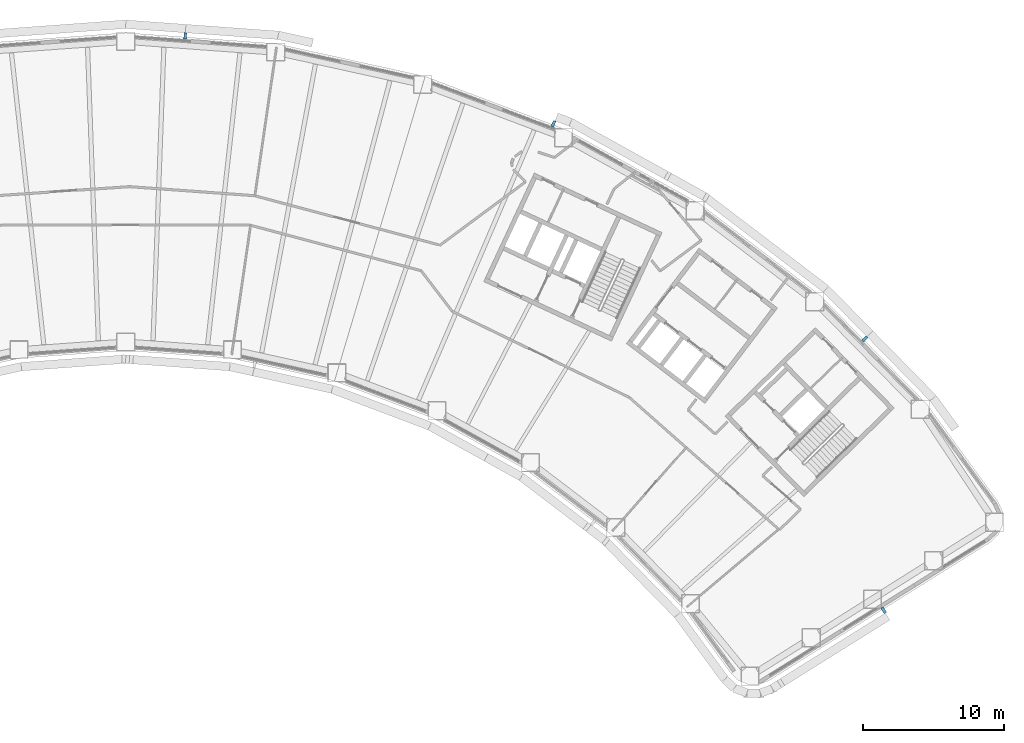
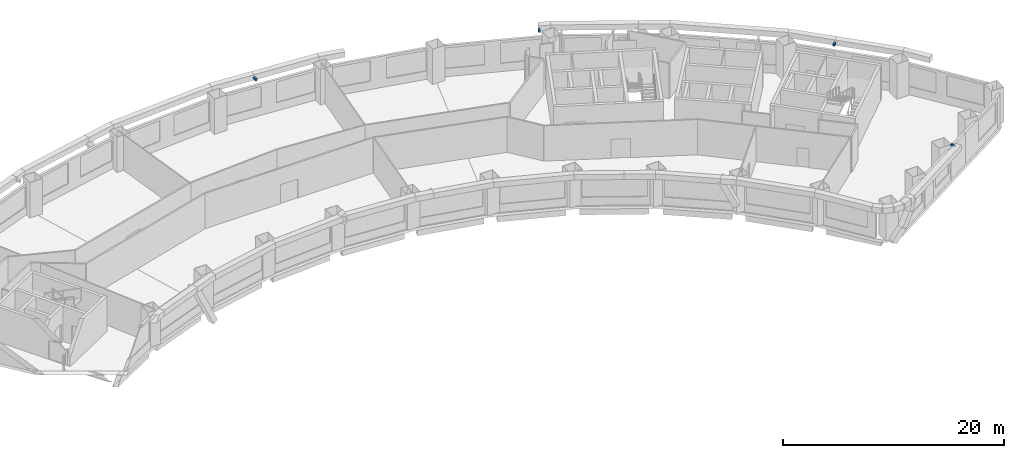
# One storey, part 11 of 14: 4 discrete accessories.
"""IFC4 building model written with IfcOpenShell, lengths in metres."""

import ifcopenshell
import ifcopenshell.guid

model = None  # the IFC model being written
_history = None  # IfcOwnerHistory: only IFC2X3 demands one
_inside = {}  # id of a spatial element -> (the spatial element, [elements in it])
_under = {}  # id of a project, library or spatial element -> (it, [spatial elements below it])
_declared = {}  # id of a project -> (the project, [libraries it declares])
_typed = {}  # id of a type object -> (the type object, [elements of that type])
_made_of = {}  # id of a material, layer set ... -> (it, [elements and type objects made of it])


def new_model(schema):
    """Start an empty IFC model of exactly this schema.

    Asked for "IFC4X3", IfcOpenShell would pick the latest addendum, in which some entities
    have other attributes; the version numbers below select the first issue.
    IFC2X3 requires an IfcOwnerHistory on every rooted entity: one is made here for all.
    """
    global model, _history
    if schema == "IFC4X3":
        model = ifcopenshell.file(schema_version=(4, 3, 0, 0))
    else:
        model = ifcopenshell.file(schema=schema)
    _inside.clear()
    _under.clear()
    _declared.clear()
    _typed.clear()
    _made_of.clear()
    _history = None
    if model.schema == "IFC2X3":
        org = make("IfcOrganization", Name="unknown")
        user = make(
            "IfcPersonAndOrganization",
            ThePerson=make("IfcPerson", FamilyName="unknown"),
            TheOrganization=org,
        )
        app = make(
            "IfcApplication",
            ApplicationDeveloper=org,
            Version="unknown",
            ApplicationFullName="unknown",
            ApplicationIdentifier="unknown",
        )
        _history = make(
            "IfcOwnerHistory",
            OwningUser=user,
            OwningApplication=app,
            ChangeAction="ADDED",
            CreationDate=0,
        )
    return model


def make(cls, **values):
    """One entity of the class cls with the attributes given. An attribute that is None is left unset."""
    return model.create_entity(
        cls, **{name: value for name, value in values.items() if value is not None}
    )


def rooted(cls, **values):
    """An entity with a GlobalId (a new one), such as an element, a storey or a relation."""
    return make(cls, GlobalId=ifcopenshell.guid.new(), OwnerHistory=_history, **values)


def si_unit(unit_type, name, prefix=None):
    """IfcSIUnit, for example si_unit("LENGTHUNIT", "METRE", prefix="MILLI")."""
    return make("IfcSIUnit", UnitType=unit_type, Prefix=prefix, Name=name)


def assignment(units):
    """IfcUnitAssignment: the units of a project."""
    return None if units is None else make("IfcUnitAssignment", Units=units)


def point(xyz):
    """IfcCartesianPoint."""
    return None if xyz is None else make("IfcCartesianPoint", Coordinates=xyz)


def direction(xyz):
    """IfcDirection."""
    return None if xyz is None else make("IfcDirection", DirectionRatios=xyz)


def frame(location, z_axis=None, x_axis=None):
    """IfcAxis2Placement3D, a coordinate frame: its origin and axes. An axis left out is left unset."""
    return make(
        "IfcAxis2Placement3D",
        Location=point(location),
        Axis=direction(z_axis),
        RefDirection=direction(x_axis),
    )


def frame_2d(location, x_axis=None):
    """IfcAxis2Placement2D, a coordinate frame in the plane: its origin and x axis."""
    return make(
        "IfcAxis2Placement2D", Location=point(location), RefDirection=direction(x_axis)
    )


def origin():
    """The frame at (0, 0, 0) with its axes left unset."""
    return frame((0.0, 0.0, 0.0))


def origin_2d():
    """The frame at (0, 0) in the plane with its x axis left unset."""
    return frame_2d((0.0, 0.0))


def place(relative_to, where):
    """IfcLocalPlacement: puts the frame where relative to a parent placement (None: the world)."""
    return make(
        "IfcLocalPlacement", PlacementRelTo=relative_to, RelativePlacement=where
    )


def context(
    kind, dimensions, precision=None, world=None, true_north=None, identifier=None
):
    """IfcGeometricRepresentationContext, for example the 3D "Model" context."""
    return make(
        "IfcGeometricRepresentationContext",
        ContextIdentifier=identifier,
        ContextType=kind,
        CoordinateSpaceDimension=dimensions,
        Precision=precision,
        WorldCoordinateSystem=world,
        TrueNorth=true_north,
    )


def subcontext(parent, identifier, kind, view, scale=None):
    """IfcGeometricRepresentationSubContext, for example "Body" below "Model"."""
    return make(
        "IfcGeometricRepresentationSubContext",
        ContextIdentifier=identifier,
        ContextType=kind,
        ParentContext=parent,
        TargetScale=scale,
        TargetView=view,
    )


def project(units=None, contexts=None):
    """IfcProject with its units and contexts."""
    return rooted(
        "IfcProject",
        Name="project",
        RepresentationContexts=contexts,
        UnitsInContext=assignment(units),
    )


def spatial(cls, under=None, at=None, **own):
    """A site, building, storey or space (cls), placed at a placement, below another one or the project."""
    s = rooted(cls, ObjectPlacement=at, **own)
    if under is not None:
        _under.setdefault(under.id(), (under, []))[1].append(s)
    return s


def profile(cls, at=None, kind="AREA", **sizes):
    """A parametric profile (cls). Its sizes go by their IFC names, for example OverallWidth=200.0."""
    return make(cls, ProfileType=kind, Position=at, **sizes)


def rectangle(**sizes):
    """IfcRectangleProfileDef."""
    return profile("IfcRectangleProfileDef", **sizes)


def extrude(swept, where, along, depth):
    """IfcExtrudedAreaSolid: the profile swept, set in the frame where, extruded along a direction by depth."""
    return make(
        "IfcExtrudedAreaSolid",
        SweptArea=swept,
        Position=where,
        ExtrudedDirection=direction(along),
        Depth=depth,
    )


def shape(context_of_items, identifier, shape_type, items):
    """IfcShapeRepresentation: the items that make up one representation, for example the "Body"."""
    return make(
        "IfcShapeRepresentation",
        ContextOfItems=context_of_items,
        RepresentationIdentifier=identifier,
        RepresentationType=shape_type,
        Items=items,
    )


def material(Name=None, Category=None):
    """IfcMaterial."""
    return make("IfcMaterial", Name=Name, Category=Category)


def made_of(thing, what):
    """Note that an element or type object is made of a material, layer set ...; save() writes the relation."""
    if what is not None:
        _made_of.setdefault(what.id(), (what, []))[1].append(thing)
    return thing


def type_object(cls, material=None, **own):
    """A type object (cls), such as IfcWallType, which elements share."""
    return made_of(rooted(cls, **own), material)


def element(
    cls,
    number,
    at=None,
    inside=None,
    cuts=None,
    type_object=None,
    material=None,
    context=None,
    identifier="Body",
    shape_type=None,
    held_by="IfcProductDefinitionShape",
    body=None,
    shapes=None,
    **own,
):
    """One element of the class cls, such as IfcWall. Its Tag is "e" and its number.

    at: its placement. inside: the storey or other place that contains it. cuts: it is an
    opening in that element (IfcRelVoidsElement). A single representation is given by context,
    identifier, shape_type and body (its items); several are given by shapes. held_by: the class
    of the entity that holds the representations. save() writes the other relations.
    """
    e = rooted(cls, Tag="e%d" % number, ObjectPlacement=at, **own)
    if body is not None:
        shapes = [shape(context, identifier, shape_type, body)]
    if shapes is not None:
        e.Representation = make(held_by, Representations=shapes)
    if inside is not None:
        _inside.setdefault(inside.id(), (inside, []))[1].append(e)
    if cuts is not None:
        rooted(
            "IfcRelVoidsElement", RelatingBuildingElement=cuts, RelatedOpeningElement=e
        )
    if type_object is not None:
        _typed.setdefault(type_object.id(), (type_object, []))[1].append(e)
    return made_of(e, material)


def aggregate(whole, parts):
    """IfcRelAggregates: a whole, such as a stair, and the parts it consists of."""
    return rooted("IfcRelAggregates", RelatingObject=whole, RelatedObjects=parts)


def save(model, path):
    """Write the relations noted so far, then the file.

    IfcRelAggregates (storeys below a building ...), IfcRelContainedInSpatialStructure (elements
    in a storey), IfcRelDefinesByType, IfcRelAssociatesMaterial and IfcRelDeclares: one each for
    every whole, place, type object, material and project.
    """
    for whole, parts in _under.values():
        aggregate(whole, parts)
    for where, things in _inside.values():
        rooted(
            "IfcRelContainedInSpatialStructure",
            RelatedElements=things,
            RelatingStructure=where,
        )
    for kind, things in _typed.values():
        rooted("IfcRelDefinesByType", RelatedObjects=things, RelatingType=kind)
    for what, things in _made_of.values():
        rooted("IfcRelAssociatesMaterial", RelatedObjects=things, RelatingMaterial=what)
    for by, libraries in _declared.values():
        rooted("IfcRelDeclares", RelatingContext=by, RelatedDefinitions=libraries)
    model.write(path)


model = new_model("IFC4")

# Units and contexts
model_context = context("Model", 3, precision=1e-05, world=origin(), true_north=direction((0.0, 1.0)))
body_context = subcontext(model_context, "Body", "Model", "MODEL_VIEW")
ifc_project = project(units=[si_unit("LENGTHUNIT", "METRE"), si_unit("AREAUNIT", "SQUARE_METRE"), si_unit("VOLUMEUNIT", "CUBIC_METRE"), si_unit("PLANEANGLEUNIT", "RADIAN"), si_unit("MASSUNIT", "GRAM", prefix="KILO")], contexts=[model_context])

# Site, building, storey
site_placement = place(None, origin())
site = spatial("IfcSite", under=ifc_project, at=site_placement, CompositionType="ELEMENT")
building_placement = place(site_placement, origin())
building = spatial("IfcBuilding", under=site, at=building_placement, Name="Tuul Gate Civic Tower", CompositionType="ELEMENT")
storey_placement = place(building_placement, frame((0.0, 0.0, 44.10009765625)))
storey = spatial("IfcBuildingStorey", under=building, at=storey_placement, Name="Level 09", CompositionType="ELEMENT", Elevation=44.10009765625)

# Discrete accessories
ifc_material = material(Name="Stainless steel", Category="steel")
discrete_accessory_type = type_object("IfcDiscreteAccessoryType", Name="Screen bracket", PredefinedType="BRACKET", material=ifc_material)
discrete_accessory_1_placement = place(storey_placement, frame((52.435302734375, -7.2373046875, 3.75), z_axis=(0.0, 0.0, 1.0), x_axis=(0.7049152793, 0.70929151201, 0.0)))
element("IfcDiscreteAccessory", 1, at=discrete_accessory_1_placement, inside=storey, type_object=discrete_accessory_type, Name="Screen bracket 3", PredefinedType="BRACKET", context=body_context, shape_type="SweptSolid", body=[
    extrude(rectangle(XDim=0.449951171875, YDim=0.199951171875, at=origin_2d()), origin(), (0.0, 0.0, 1.0), 0.199951171875),
])
discrete_accessory_2_placement = place(storey_placement, frame((30.354736328125, 8.0419921875, 3.75), z_axis=(0.0, 0.0, 1.0), x_axis=(0.407387070442, 0.913255591188, 0.0)))
element("IfcDiscreteAccessory", 2, at=discrete_accessory_2_placement, inside=storey, type_object=discrete_accessory_type, Name="Screen bracket 6", PredefinedType="BRACKET", context=body_context, shape_type="SweptSolid", body=[
    extrude(rectangle(XDim=0.45068359375, YDim=0.199951171875, at=origin_2d()), origin(), (0.0, 0.0, 1.0), 0.199951171875),
])
discrete_accessory_3_placement = place(storey_placement, frame((4.225830078125, 14.26953125, 3.75), z_axis=(0.0, 0.0, 1.0), x_axis=(0.05682521875, 0.998384141758, 0.0)))
element("IfcDiscreteAccessory", 3, at=discrete_accessory_3_placement, inside=storey, type_object=discrete_accessory_type, Name="Screen bracket 9", PredefinedType="BRACKET", context=body_context, shape_type="SweptSolid", body=[
    extrude(rectangle(XDim=0.4501953125, YDim=0.199951171875, at=origin_2d()), origin(), (0.0, 0.0, 1.0), 0.199951171875),
])
discrete_accessory_4_placement = place(storey_placement, frame((53.78076171875, -26.482421875, 3.75), z_axis=(0.0, 0.0, 1.0), x_axis=(0.536424954277, -0.84394802472, 0.0)))
element("IfcDiscreteAccessory", 4, at=discrete_accessory_4_placement, inside=storey, type_object=discrete_accessory_type, Name="Screen bracket 33", PredefinedType="BRACKET", context=body_context, shape_type="SweptSolid", body=[
    extrude(rectangle(XDim=0.449951171875, YDim=0.199951171875, at=origin_2d()), origin(), (0.0, 0.0, 1.0), 0.199951171875),
])

save(model, "model.ifc")
